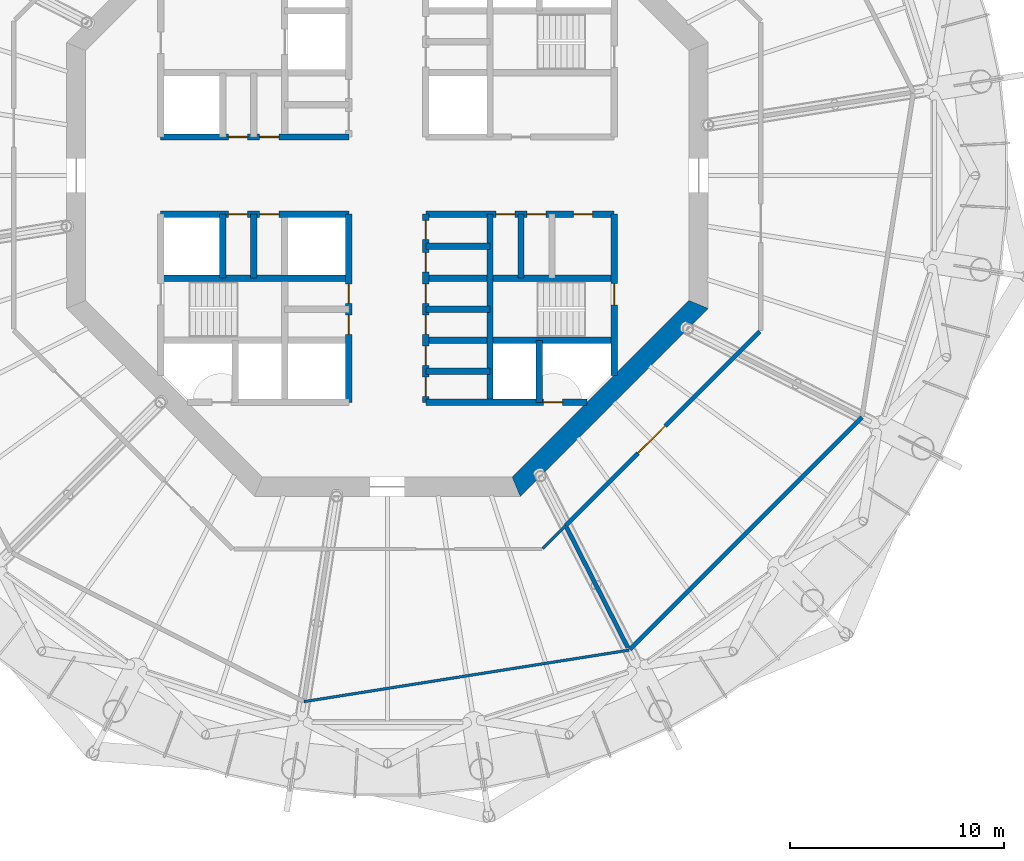
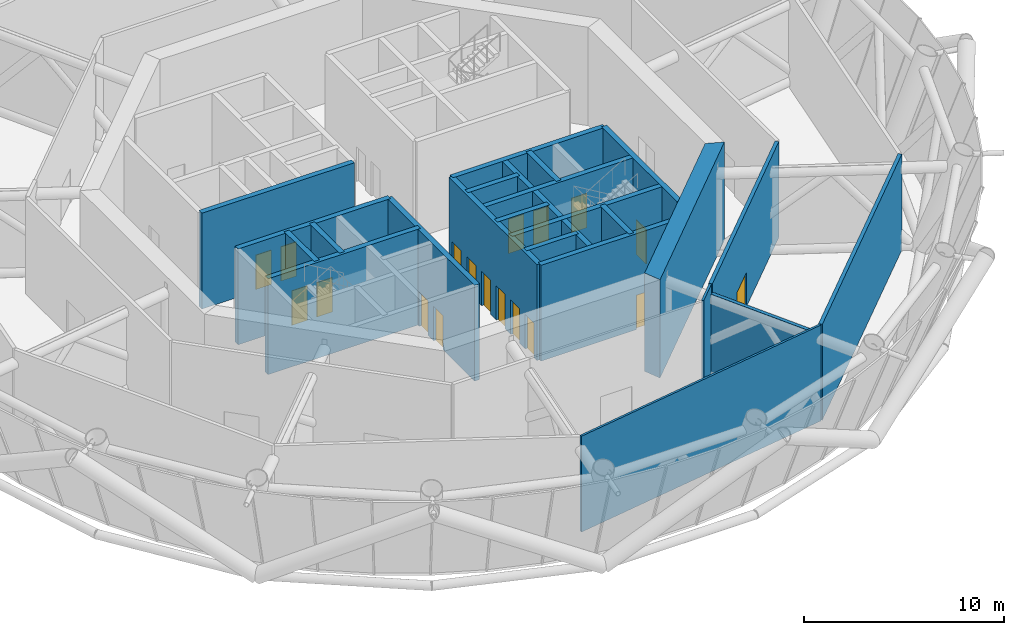
# One storey, part 8 of 15: 24 walls, 18 doors, 18 openings.
"""IFC4 building model written with IfcOpenShell, lengths in metres."""

from ifc_helpers import new_model, si_unit, direction, frame, frame_2d, origin, place, context, subcontext, project, spatial, polyline, rectangle, outline, extrude, material, layer, layer_set, type_object, element, fill, save


model = new_model("IFC4")

# Units and contexts
model_context = context("Model", 3, precision=1e-05, world=origin(), true_north=direction((0.0, 1.0)))
body_context = subcontext(model_context, "Body", "Model", "MODEL_VIEW")
ifc_project = project(units=[si_unit("LENGTHUNIT", "METRE"), si_unit("AREAUNIT", "SQUARE_METRE"), si_unit("VOLUMEUNIT", "CUBIC_METRE"), si_unit("PLANEANGLEUNIT", "RADIAN"), si_unit("MASSUNIT", "GRAM", prefix="KILO")], contexts=[model_context])

# Site, building, storey
site_placement = place(None, origin())
site = spatial("IfcSite", under=ifc_project, at=site_placement, CompositionType="ELEMENT")
building_placement = place(site_placement, origin())
building = spatial("IfcBuilding", under=site, at=building_placement, Name="Entoto Ring Tower", CompositionType="ELEMENT")
storey_placement = place(building_placement, frame((0.0, 0.0, 268.0)))
storey = spatial("IfcBuildingStorey", under=building, at=storey_placement, Name="L61", CompositionType="ELEMENT", Elevation=268.0)

# Wall, opening, door
ifc_material_1 = material(Name="Concrete C40/50", Category="concrete")
ifc_layer_1 = layer(ifc_material_1, 0.300048828125)
ifc_layer_set_1 = layer_set([ifc_layer_1], Name="Concrete C40/50")
wall_type_1 = type_object("IfcWallType", Name="Core enclosure wall 300 mm reinforced concrete", PredefinedType="SOLIDWALL", material=ifc_layer_set_1)
wall_1_placement = place(storey_placement, frame((100.60009765625, 70.65966796875, 0.0), z_axis=(0.0, 0.0, 1.0), x_axis=(0.0, 1.0, 0.0)))
wall_1 = element("IfcWall", 1, at=wall_1_placement, inside=storey, type_object=wall_type_1, Name="wall-L61-001", PredefinedType="SOLIDWALL", context=body_context, shape_type="SweptSolid", body=[
    extrude(rectangle(XDim=7.540283203125, YDim=0.300048828125, at=frame_2d((3.77001953125, 0.0))), origin(), (0.0, 0.0, 1.0), 5.85009765625),
])
opening_1_placement = place(wall_1_placement, frame((3.290283203125, 0.0, 0.0)))
opening_1 = element("IfcOpeningElement", 2, at=opening_1_placement, cuts=wall_1, Name="Opening K-27", PredefinedType="OPENING", context=body_context, shape_type="SweptSolid", body=[
    extrude(rectangle(XDim=1.0, YDim=2.10009765625, at=frame_2d((0.5, 1.050048828125))), frame((0.0, 0.16015625, 0.0), z_axis=(0.0, -1.0, 0.0), x_axis=(1.0, 0.0, 0.0)), (0.0, 0.0, 1.0), 0.320068359375),
])
ifc_material_2 = material(Name="Steel door leaf, fire rated", Category="steel")
ifc_layer_2 = layer(ifc_material_2, 0.050048828125)
ifc_layer_set_2 = layer_set([ifc_layer_2], Name="Steel door leaf, fire rated")
door_type_1 = type_object("IfcDoorType", Name="Fire door FD60 1000 x 2100 single leaf", OperationType="NOTDEFINED", PredefinedType="DOOR", material=ifc_layer_set_2)
door_1_placement = place(opening_1_placement, origin())
door_1 = element("IfcDoor", 3, at=door_1_placement, inside=storey, type_object=door_type_1, Name="Door K-27", OperationType="SINGLE_SWING_RIGHT", OverallHeight=2.10009765625, OverallWidth=1.0, PredefinedType="DOOR", context=body_context, shape_type="SweptSolid", body=[
    extrude(rectangle(XDim=1.0, YDim=2.10009765625, at=frame_2d((0.5, 1.050048828125))), frame((0.0, 0.02490234375, 0.0), z_axis=(0.0, -1.0, 0.0), x_axis=(1.0, 0.0, 0.0)), (0.0, 0.0, 1.0), 0.050048828125),
])
fill(opening_1, door_1)

# Walls
wall_2_placement = place(storey_placement, frame((97.10009765625, 69.39990234375, 0.0), z_axis=(0.0, 0.0, 1.0), x_axis=(0.0, 1.0, 0.0)))
element("IfcWall", 4, at=wall_2_placement, inside=storey, type_object=wall_type_1, Name="wall-L61-004", PredefinedType="SOLIDWALL", context=body_context, shape_type="SweptSolid", body=[
    extrude(rectangle(XDim=2.900146484375, YDim=0.300048828125, at=frame_2d((1.4501953125, 0.0))), origin(), (0.0, 0.0, 1.0), 5.85009765625),
])
wall_3_placement = place(storey_placement, frame((96.25, 75.199951171875, 0.0), z_axis=(0.0, 0.0, 1.0), x_axis=(0.0, 1.0, 0.0)))
element("IfcWall", 5, at=wall_3_placement, inside=storey, type_object=wall_type_1, Name="wall-L61-006", PredefinedType="SOLIDWALL", context=body_context, shape_type="SweptSolid", body=[
    extrude(rectangle(XDim=3.0, YDim=0.300048828125, at=frame_2d((1.5, 0.0))), origin(), (0.0, 0.0, 1.0), 5.85009765625),
])
wall_4_placement = place(storey_placement, frame((94.800048828125, 69.39990234375, 0.0), z_axis=(0.0, 0.0, 1.0), x_axis=(0.0, 1.0, 0.0)))
element("IfcWall", 6, at=wall_4_placement, inside=storey, type_object=wall_type_1, Name="wall-L61-007", PredefinedType="SOLIDWALL", context=body_context, shape_type="SweptSolid", body=[
    extrude(rectangle(XDim=8.800048828125, YDim=0.300048828125, at=frame_2d((4.39990234375, 0.0))), origin(), (0.0, 0.0, 1.0), 5.85009765625),
])

# Wall, openings, doors
wall_5_placement = place(storey_placement, frame((91.800048828125, 69.39990234375, 0.0), z_axis=(0.0, 0.0, 1.0), x_axis=(0.0, 1.0, 0.0)))
wall_5 = element("IfcWall", 7, at=wall_5_placement, inside=storey, type_object=wall_type_1, Name="wall-L61-009", PredefinedType="SOLIDWALL", context=body_context, shape_type="SweptSolid", body=[
    extrude(rectangle(XDim=8.800048828125, YDim=0.300048828125, at=frame_2d((4.39990234375, 0.0))), origin(), (0.0, 0.0, 1.0), 5.85009765625),
])
opening_2_placement = place(wall_5_placement, frame((3.175048828125, 0.0, 0.0)))
opening_2 = element("IfcOpeningElement", 8, at=opening_2_placement, cuts=wall_5, Name="Opening K-15", PredefinedType="OPENING", context=body_context, shape_type="SweptSolid", body=[
    extrude(rectangle(XDim=0.89990234375, YDim=2.10009765625, at=frame_2d((0.449951171875, 1.050048828125))), frame((0.0, 0.16015625, 0.0), z_axis=(0.0, -1.0, 0.0), x_axis=(1.0, 0.0, 0.0)), (0.0, 0.0, 1.0), 0.320068359375),
])
opening_3_placement = place(wall_5_placement, frame((4.625, 0.0, 0.0)))
opening_3 = element("IfcOpeningElement", 9, at=opening_3_placement, cuts=wall_5, Name="Opening K-16", PredefinedType="OPENING", context=body_context, shape_type="SweptSolid", body=[
    extrude(rectangle(XDim=0.89990234375, YDim=2.10009765625, at=frame_2d((0.449951171875, 1.050048828125))), frame((0.0, 0.16015625, 0.0), z_axis=(0.0, -1.0, 0.0), x_axis=(1.0, 0.0, 0.0)), (0.0, 0.0, 1.0), 0.320068359375),
])
opening_4_placement = place(wall_5_placement, frame((0.27490234375, 0.0, 0.0)))
opening_4 = element("IfcOpeningElement", 10, at=opening_4_placement, cuts=wall_5, Name="Opening K-57", PredefinedType="OPENING", context=body_context, shape_type="SweptSolid", body=[
    extrude(rectangle(XDim=0.89990234375, YDim=2.10009765625, at=frame_2d((0.449951171875, 1.050048828125))), frame((0.0, 0.16015625, 0.0), z_axis=(0.0, -1.0, 0.0), x_axis=(1.0, 0.0, 0.0)), (0.0, 0.0, 1.0), 0.320068359375),
])
opening_5_placement = place(wall_5_placement, frame((1.72509765625, 0.0, 0.0)))
opening_5 = element("IfcOpeningElement", 11, at=opening_5_placement, cuts=wall_5, Name="Opening K-18", PredefinedType="OPENING", context=body_context, shape_type="SweptSolid", body=[
    extrude(rectangle(XDim=0.89990234375, YDim=2.10009765625, at=frame_2d((0.449951171875, 1.050048828125))), frame((0.0, 0.16015625, 0.0), z_axis=(0.0, -1.0, 0.0), x_axis=(1.0, 0.0, 0.0)), (0.0, 0.0, 1.0), 0.320068359375),
])
opening_6_placement = place(wall_5_placement, frame((6.10009765625, 0.0, 0.0)))
opening_6 = element("IfcOpeningElement", 12, at=opening_6_placement, cuts=wall_5, Name="Opening K-71", PredefinedType="OPENING", context=body_context, shape_type="SweptSolid", body=[
    extrude(rectangle(XDim=0.89990234375, YDim=2.10009765625, at=frame_2d((0.449951171875, 1.050048828125))), frame((0.0, 0.16015625, 0.0), z_axis=(0.0, -1.0, 0.0), x_axis=(1.0, 0.0, 0.0)), (0.0, 0.0, 1.0), 0.320068359375),
])
opening_7_placement = place(wall_5_placement, frame((7.60009765625, 0.0, 0.0)))
opening_7 = element("IfcOpeningElement", 13, at=opening_7_placement, cuts=wall_5, Name="Opening K-24", PredefinedType="OPENING", context=body_context, shape_type="SweptSolid", body=[
    extrude(rectangle(XDim=0.89990234375, YDim=2.10009765625, at=frame_2d((0.449951171875, 1.050048828125))), frame((0.0, 0.16015625, 0.0), z_axis=(0.0, -1.0, 0.0), x_axis=(1.0, 0.0, 0.0)), (0.0, 0.0, 1.0), 0.320068359375),
])
ifc_material_3 = material(Name="Steel door leaf, fire rated", Category="steel")
ifc_layer_3 = layer(ifc_material_3, 0.050048828125)
ifc_layer_set_3 = layer_set([ifc_layer_3], Name="Steel door leaf, fire rated")
door_type_2 = type_object("IfcDoorType", Name="Core door 900 x 2100 single leaf", OperationType="NOTDEFINED", PredefinedType="DOOR", material=ifc_layer_set_3)
door_2_placement = place(opening_2_placement, frame((0.89990234375, 0.0, 0.0), z_axis=(0.0, 0.0, 1.0), x_axis=(-1.0, 0.0, 0.0)))
door_2 = element("IfcDoor", 14, at=door_2_placement, inside=storey, type_object=door_type_2, Name="Door K-15", OperationType="SINGLE_SWING_LEFT", OverallHeight=2.10009765625, OverallWidth=0.89990234375, PredefinedType="DOOR", context=body_context, shape_type="SweptSolid", body=[
    extrude(rectangle(XDim=0.89990234375, YDim=2.10009765625, at=frame_2d((0.449951171875, 1.050048828125))), frame((0.0, 0.02490234375, 0.0), z_axis=(0.0, -1.0, 0.0), x_axis=(1.0, 0.0, 0.0)), (0.0, 0.0, 1.0), 0.050048828125),
])
fill(opening_2, door_2)
door_3_placement = place(opening_3_placement, frame((0.89990234375, 0.0, 0.0), z_axis=(0.0, 0.0, 1.0), x_axis=(-1.0, 0.0, 0.0)))
door_3 = element("IfcDoor", 15, at=door_3_placement, inside=storey, type_object=door_type_2, Name="Door K-16", OperationType="SINGLE_SWING_LEFT", OverallHeight=2.10009765625, OverallWidth=0.89990234375, PredefinedType="DOOR", context=body_context, shape_type="SweptSolid", body=[
    extrude(rectangle(XDim=0.89990234375, YDim=2.10009765625, at=frame_2d((0.449951171875, 1.050048828125))), frame((0.0, 0.02490234375, 0.0), z_axis=(0.0, -1.0, 0.0), x_axis=(1.0, 0.0, 0.0)), (0.0, 0.0, 1.0), 0.050048828125),
])
fill(opening_3, door_3)
door_4_placement = place(opening_4_placement, frame((0.89990234375, 0.0, 0.0), z_axis=(0.0, 0.0, 1.0), x_axis=(-1.0, 0.0, 0.0)))
door_4 = element("IfcDoor", 16, at=door_4_placement, inside=storey, type_object=door_type_2, Name="Door K-57", OperationType="SINGLE_SWING_LEFT", OverallHeight=2.10009765625, OverallWidth=0.89990234375, PredefinedType="DOOR", context=body_context, shape_type="SweptSolid", body=[
    extrude(rectangle(XDim=0.89990234375, YDim=2.10009765625, at=frame_2d((0.449951171875, 1.050048828125))), frame((0.0, 0.02490234375, 0.0), z_axis=(0.0, -1.0, 0.0), x_axis=(1.0, 0.0, 0.0)), (0.0, 0.0, 1.0), 0.050048828125),
])
fill(opening_4, door_4)
door_5_placement = place(opening_5_placement, frame((0.89990234375, 0.0, 0.0), z_axis=(0.0, 0.0, 1.0), x_axis=(-1.0, 0.0, 0.0)))
door_5 = element("IfcDoor", 17, at=door_5_placement, inside=storey, type_object=door_type_2, Name="Door K-18", OperationType="SINGLE_SWING_LEFT", OverallHeight=2.10009765625, OverallWidth=0.89990234375, PredefinedType="DOOR", context=body_context, shape_type="SweptSolid", body=[
    extrude(rectangle(XDim=0.89990234375, YDim=2.10009765625, at=frame_2d((0.449951171875, 1.050048828125))), frame((0.0, 0.02490234375, 0.0), z_axis=(0.0, -1.0, 0.0), x_axis=(1.0, 0.0, 0.0)), (0.0, 0.0, 1.0), 0.050048828125),
])
fill(opening_5, door_5)
door_6_placement = place(opening_6_placement, frame((0.89990234375, 0.0, 0.0), z_axis=(0.0, 0.0, 1.0), x_axis=(-1.0, 0.0, 0.0)))
door_6 = element("IfcDoor", 18, at=door_6_placement, inside=storey, type_object=door_type_2, Name="Door K-71", OperationType="SINGLE_SWING_RIGHT", OverallHeight=2.10009765625, OverallWidth=0.89990234375, PredefinedType="DOOR", context=body_context, shape_type="SweptSolid", body=[
    extrude(rectangle(XDim=0.89990234375, YDim=2.10009765625, at=frame_2d((0.449951171875, 1.050048828125))), frame((0.0, 0.02490234375, 0.0), z_axis=(0.0, -1.0, 0.0), x_axis=(1.0, 0.0, 0.0)), (0.0, 0.0, 1.0), 0.050048828125),
])
fill(opening_6, door_6)
door_7_placement = place(opening_7_placement, frame((0.89990234375, 0.0, 0.0), z_axis=(0.0, 0.0, 1.0), x_axis=(-1.0, 0.0, 0.0)))
door_7 = element("IfcDoor", 19, at=door_7_placement, inside=storey, type_object=door_type_2, Name="Door K-24", OperationType="SINGLE_SWING_RIGHT", OverallHeight=2.10009765625, OverallWidth=0.89990234375, PredefinedType="DOOR", context=body_context, shape_type="SweptSolid", body=[
    extrude(rectangle(XDim=0.89990234375, YDim=2.10009765625, at=frame_2d((0.449951171875, 1.050048828125))), frame((0.0, 0.02490234375, 0.0), z_axis=(0.0, -1.0, 0.0), x_axis=(1.0, 0.0, 0.0)), (0.0, 0.0, 1.0), 0.050048828125),
])
fill(opening_7, door_7)

wall_6_placement = place(storey_placement, frame((88.199951171875, 69.39990234375, 0.0), z_axis=(0.0, 0.0, 1.0), x_axis=(0.0, 1.0, 0.0)))
wall_6 = element("IfcWall", 20, at=wall_6_placement, inside=storey, type_object=wall_type_1, Name="wall-L61-011", PredefinedType="SOLIDWALL", context=body_context, shape_type="SweptSolid", body=[
    extrude(rectangle(XDim=8.800048828125, YDim=0.300048828125, at=frame_2d((4.39990234375, 0.0))), origin(), (0.0, 0.0, 1.0), 5.85009765625),
])
opening_8_placement = place(wall_6_placement, frame((3.175048828125, 0.0, 0.0)))
opening_8 = element("IfcOpeningElement", 21, at=opening_8_placement, cuts=wall_6, Name="Opening K-19", PredefinedType="OPENING", context=body_context, shape_type="SweptSolid", body=[
    extrude(rectangle(XDim=0.89990234375, YDim=2.10009765625, at=frame_2d((0.449951171875, 1.050048828125))), frame((0.0, 0.16015625, 0.0), z_axis=(0.0, -1.0, 0.0), x_axis=(1.0, 0.0, 0.0)), (0.0, 0.0, 1.0), 0.320068359375),
])
opening_9_placement = place(wall_6_placement, frame((4.625, 0.0, 0.0)))
opening_9 = element("IfcOpeningElement", 22, at=opening_9_placement, cuts=wall_6, Name="Opening K-63", PredefinedType="OPENING", context=body_context, shape_type="SweptSolid", body=[
    extrude(rectangle(XDim=0.89990234375, YDim=2.10009765625, at=frame_2d((0.449951171875, 1.050048828125))), frame((0.0, 0.16015625, 0.0), z_axis=(0.0, -1.0, 0.0), x_axis=(1.0, 0.0, 0.0)), (0.0, 0.0, 1.0), 0.320068359375),
])
door_8_placement = place(opening_8_placement, origin())
door_8 = element("IfcDoor", 23, at=door_8_placement, inside=storey, type_object=door_type_2, Name="Door K-19", OperationType="SINGLE_SWING_RIGHT", OverallHeight=2.10009765625, OverallWidth=0.89990234375, PredefinedType="DOOR", context=body_context, shape_type="SweptSolid", body=[
    extrude(rectangle(XDim=0.89990234375, YDim=2.10009765625, at=frame_2d((0.449951171875, 1.050048828125))), frame((0.0, 0.02490234375, 0.0), z_axis=(0.0, -1.0, 0.0), x_axis=(1.0, 0.0, 0.0)), (0.0, 0.0, 1.0), 0.050048828125),
])
fill(opening_8, door_8)
door_9_placement = place(opening_9_placement, origin())
door_9 = element("IfcDoor", 24, at=door_9_placement, inside=storey, type_object=door_type_2, Name="Door K-63", OperationType="SINGLE_SWING_RIGHT", OverallHeight=2.10009765625, OverallWidth=0.89990234375, PredefinedType="DOOR", context=body_context, shape_type="SweptSolid", body=[
    extrude(rectangle(XDim=0.89990234375, YDim=2.10009765625, at=frame_2d((0.449951171875, 1.050048828125))), frame((0.0, 0.02490234375, 0.0), z_axis=(0.0, -1.0, 0.0), x_axis=(1.0, 0.0, 0.0)), (0.0, 0.0, 1.0), 0.050048828125),
])
fill(opening_9, door_9)

# Walls
for number, where, z_axis, x_axis, name in (
    (25, (83.75, 75.199951171875, 0.0), (0.0, 0.0, 1.0), (0.0, 1.0, 0.0), "wall-L61-015"),
    (26, (82.300048828125, 75.199951171875, 0.0), (0.0, 0.0, 1.0), (0.0, 1.0, 0.0), "wall-L61-018"),
):
    element("IfcWall", number, at=place(storey_placement, frame(where, z_axis=z_axis, x_axis=x_axis)), inside=storey, type_object=wall_type_1, Name=name, PredefinedType="SOLIDWALL", context=body_context, shape_type="SweptSolid", body=[
        extrude(rectangle(XDim=3.0, YDim=0.300048828125, at=frame_2d((1.5, 0.0))), origin(), (0.0, 0.0, 1.0), 5.85009765625),
    ])

# Wall, opening, door
wall_7_placement = place(storey_placement, frame((91.800048828125, 69.39990234375, 0.0), z_axis=(0.0, 0.0, 1.0), x_axis=(1.0, 0.0, 0.0)))
wall_7 = element("IfcWall", 27, at=wall_7_placement, inside=storey, type_object=wall_type_1, Name="wall-L61-023", PredefinedType="SOLIDWALL", context=body_context, shape_type="SweptSolid", body=[
    extrude(rectangle(XDim=7.540283203125, YDim=0.300048828125, at=frame_2d((3.77001953125, 0.0))), origin(), (0.0, 0.0, 1.0), 5.85009765625),
])
opening_10_placement = place(wall_7_placement, frame((5.5, 0.0, 0.0)))
opening_10 = element("IfcOpeningElement", 28, at=opening_10_placement, cuts=wall_7, Name="Opening K-84", PredefinedType="OPENING", context=body_context, shape_type="SweptSolid", body=[
    extrude(rectangle(XDim=0.89990234375, YDim=2.10009765625, at=frame_2d((0.449951171875, 1.050048828125))), frame((0.0, 0.16015625, 0.0), z_axis=(0.0, -1.0, 0.0), x_axis=(1.0, 0.0, 0.0)), (0.0, 0.0, 1.0), 0.320068359375),
])
ifc_material_4 = material(Name="Steel door leaf, fire rated", Category="steel")
ifc_layer_4 = layer(ifc_material_4, 0.050048828125)
ifc_layer_set_4 = layer_set([ifc_layer_4], Name="Steel door leaf, fire rated")
door_type_3 = type_object("IfcDoorType", Name="Riser door FD60 900 x 2100 single leaf", OperationType="NOTDEFINED", PredefinedType="DOOR", material=ifc_layer_set_4)
door_10_placement = place(opening_10_placement, origin())
door_10 = element("IfcDoor", 29, at=door_10_placement, inside=storey, type_object=door_type_3, Name="Door K-84", OperationType="SINGLE_SWING_LEFT", OverallHeight=2.10009765625, OverallWidth=0.89990234375, PredefinedType="DOOR", context=body_context, shape_type="SweptSolid", body=[
    extrude(rectangle(XDim=0.89990234375, YDim=2.10009765625, at=frame_2d((0.449951171875, 1.050048828125))), frame((0.0, 0.02490234375, 0.0), z_axis=(0.0, -1.0, 0.0), x_axis=(1.0, 0.0, 0.0)), (0.0, 0.0, 1.0), 0.050048828125),
])
fill(opening_10, door_10)

# Walls
wall_8_placement = place(storey_placement, frame((91.800048828125, 70.85009765625, 0.0), z_axis=(0.0, 0.0, 1.0), x_axis=(1.0, 0.0, 0.0)))
element("IfcWall", 30, at=wall_8_placement, inside=storey, type_object=wall_type_1, Name="wall-L61-024", PredefinedType="SOLIDWALL", context=body_context, shape_type="SweptSolid", body=[
    extrude(rectangle(XDim=3.0, YDim=0.300048828125, at=frame_2d((1.5, 0.0))), origin(), (0.0, 0.0, 1.0), 5.85009765625),
])
wall_9_placement = place(storey_placement, frame((91.800048828125, 72.300048828125, 0.0), z_axis=(0.0, 0.0, 1.0), x_axis=(1.0, 0.0, 0.0)))
element("IfcWall", 31, at=wall_9_placement, inside=storey, type_object=wall_type_1, Name="wall-L61-026", PredefinedType="SOLIDWALL", context=body_context, shape_type="SweptSolid", body=[
    extrude(rectangle(XDim=8.800048828125, YDim=0.300048828125, at=frame_2d((4.39990234375, 0.0))), origin(), (0.0, 0.0, 1.0), 5.85009765625),
])
wall_10_placement = place(storey_placement, frame((91.800048828125, 73.75, 0.0), z_axis=(0.0, 0.0, 1.0), x_axis=(1.0, 0.0, 0.0)))
element("IfcWall", 32, at=wall_10_placement, inside=storey, type_object=wall_type_1, Name="wall-L61-028", PredefinedType="SOLIDWALL", context=body_context, shape_type="SweptSolid", body=[
    extrude(rectangle(XDim=3.0, YDim=0.300048828125, at=frame_2d((1.5, 0.0))), origin(), (0.0, 0.0, 1.0), 5.85009765625),
])
for number, where, z_axis, x_axis, name in (
    (33, (79.39990234375, 75.199951171875, 0.0), (0.0, 0.0, 1.0), (1.0, 0.0, 0.0), "wall-L61-029"),
    (34, (91.800048828125, 75.199951171875, 0.0), (0.0, 0.0, 1.0), (1.0, 0.0, 0.0), "wall-L61-030"),
):
    element("IfcWall", number, at=place(storey_placement, frame(where, z_axis=z_axis, x_axis=x_axis)), inside=storey, type_object=wall_type_1, Name=name, PredefinedType="SOLIDWALL", context=body_context, shape_type="SweptSolid", body=[
        extrude(rectangle(XDim=8.800048828125, YDim=0.300048828125, at=frame_2d((4.39990234375, 0.0))), origin(), (0.0, 0.0, 1.0), 5.85009765625),
    ])
wall_11_placement = place(storey_placement, frame((91.800048828125, 76.699951171875, 0.0), z_axis=(0.0, 0.0, 1.0), x_axis=(1.0, 0.0, 0.0)))
element("IfcWall", 35, at=wall_11_placement, inside=storey, type_object=wall_type_1, Name="wall-L61-031", PredefinedType="SOLIDWALL", context=body_context, shape_type="SweptSolid", body=[
    extrude(rectangle(XDim=3.0, YDim=0.300048828125, at=frame_2d((1.5, 0.0))), origin(), (0.0, 0.0, 1.0), 5.85009765625),
])

# Wall, openings, doors
wall_12_placement = place(storey_placement, frame((79.39990234375, 78.199951171875, 0.0), z_axis=(0.0, 0.0, 1.0), x_axis=(1.0, 0.0, 0.0)))
wall_12 = element("IfcWall", 36, at=wall_12_placement, inside=storey, type_object=wall_type_1, Name="wall-L61-032", PredefinedType="SOLIDWALL", context=body_context, shape_type="SweptSolid", body=[
    extrude(rectangle(XDim=8.800048828125, YDim=0.300048828125, at=frame_2d((4.39990234375, 0.0))), origin(), (0.0, 0.0, 1.0), 5.85009765625),
])
opening_11_placement = place(wall_12_placement, frame((3.175048828125, 0.0, 0.0)))
opening_11 = element("IfcOpeningElement", 37, at=opening_11_placement, cuts=wall_12, Name="Opening K-11", PredefinedType="OPENING", context=body_context, shape_type="SweptSolid", body=[
    extrude(rectangle(XDim=0.89990234375, YDim=2.10009765625, at=frame_2d((0.449951171875, 1.050048828125))), frame((0.0, 0.16015625, 0.0), z_axis=(0.0, -1.0, 0.0), x_axis=(1.0, 0.0, 0.0)), (0.0, 0.0, 1.0), 0.320068359375),
])
opening_12_placement = place(wall_12_placement, frame((4.625, 0.0, 0.0)))
opening_12 = element("IfcOpeningElement", 38, at=opening_12_placement, cuts=wall_12, Name="Opening K-12", PredefinedType="OPENING", context=body_context, shape_type="SweptSolid", body=[
    extrude(rectangle(XDim=0.89990234375, YDim=2.10009765625, at=frame_2d((0.449951171875, 1.050048828125))), frame((0.0, 0.16015625, 0.0), z_axis=(0.0, -1.0, 0.0), x_axis=(1.0, 0.0, 0.0)), (0.0, 0.0, 1.0), 0.320068359375),
])
door_11_placement = place(opening_11_placement, frame((0.89990234375, 0.0, 0.0), z_axis=(0.0, 0.0, 1.0), x_axis=(-1.0, 0.0, 0.0)))
door_11 = element("IfcDoor", 39, at=door_11_placement, inside=storey, type_object=door_type_2, Name="Door K-11", OperationType="SINGLE_SWING_LEFT", OverallHeight=2.10009765625, OverallWidth=0.89990234375, PredefinedType="DOOR", context=body_context, shape_type="SweptSolid", body=[
    extrude(rectangle(XDim=0.89990234375, YDim=2.10009765625, at=frame_2d((0.449951171875, 1.050048828125))), frame((0.0, 0.02490234375, 0.0), z_axis=(0.0, -1.0, 0.0), x_axis=(1.0, 0.0, 0.0)), (0.0, 0.0, 1.0), 0.050048828125),
])
fill(opening_11, door_11)
door_12_placement = place(opening_12_placement, frame((0.89990234375, 0.0, 0.0), z_axis=(0.0, 0.0, 1.0), x_axis=(-1.0, 0.0, 0.0)))
door_12 = element("IfcDoor", 40, at=door_12_placement, inside=storey, type_object=door_type_2, Name="Door K-12", OperationType="SINGLE_SWING_LEFT", OverallHeight=2.10009765625, OverallWidth=0.89990234375, PredefinedType="DOOR", context=body_context, shape_type="SweptSolid", body=[
    extrude(rectangle(XDim=0.89990234375, YDim=2.10009765625, at=frame_2d((0.449951171875, 1.050048828125))), frame((0.0, 0.02490234375, 0.0), z_axis=(0.0, -1.0, 0.0), x_axis=(1.0, 0.0, 0.0)), (0.0, 0.0, 1.0), 0.050048828125),
])
fill(opening_12, door_12)

wall_13_placement = place(storey_placement, frame((91.800048828125, 78.199951171875, 0.0), z_axis=(0.0, 0.0, 1.0), x_axis=(1.0, 0.0, 0.0)))
wall_13 = element("IfcWall", 41, at=wall_13_placement, inside=storey, type_object=wall_type_1, Name="wall-L61-033", PredefinedType="SOLIDWALL", context=body_context, shape_type="SweptSolid", body=[
    extrude(rectangle(XDim=8.800048828125, YDim=0.300048828125, at=frame_2d((4.39990234375, 0.0))), origin(), (0.0, 0.0, 1.0), 5.85009765625),
])
opening_13_placement = place(wall_13_placement, frame((3.27490234375, 0.0, 0.0)))
opening_13 = element("IfcOpeningElement", 42, at=opening_13_placement, cuts=wall_13, Name="Opening K-08", PredefinedType="OPENING", context=body_context, shape_type="SweptSolid", body=[
    extrude(rectangle(XDim=0.89990234375, YDim=2.10009765625, at=frame_2d((0.449951171875, 1.050048828125))), frame((0.0, 0.16015625, 0.0), z_axis=(0.0, -1.0, 0.0), x_axis=(1.0, 0.0, 0.0)), (0.0, 0.0, 1.0), 0.320068359375),
])
opening_14_placement = place(wall_13_placement, frame((4.72509765625, 0.0, 0.0)))
opening_14 = element("IfcOpeningElement", 43, at=opening_14_placement, cuts=wall_13, Name="Opening K-09", PredefinedType="OPENING", context=body_context, shape_type="SweptSolid", body=[
    extrude(rectangle(XDim=0.89990234375, YDim=2.10009765625, at=frame_2d((0.449951171875, 1.050048828125))), frame((0.0, 0.16015625, 0.0), z_axis=(0.0, -1.0, 0.0), x_axis=(1.0, 0.0, 0.0)), (0.0, 0.0, 1.0), 0.320068359375),
])
opening_15_placement = place(wall_13_placement, frame((6.89990234375, 0.0, 0.0)))
opening_15 = element("IfcOpeningElement", 44, at=opening_15_placement, cuts=wall_13, Name="Opening K-10", PredefinedType="OPENING", context=body_context, shape_type="SweptSolid", body=[
    extrude(rectangle(XDim=0.89990234375, YDim=2.10009765625, at=frame_2d((0.449951171875, 1.050048828125))), frame((0.0, 0.16015625, 0.0), z_axis=(0.0, -1.0, 0.0), x_axis=(1.0, 0.0, 0.0)), (0.0, 0.0, 1.0), 0.320068359375),
])
door_13_placement = place(opening_13_placement, frame((0.89990234375, 0.0, 0.0), z_axis=(0.0, 0.0, 1.0), x_axis=(-1.0, 0.0, 0.0)))
door_13 = element("IfcDoor", 45, at=door_13_placement, inside=storey, type_object=door_type_2, Name="Door K-08", OperationType="SINGLE_SWING_LEFT", OverallHeight=2.10009765625, OverallWidth=0.89990234375, PredefinedType="DOOR", context=body_context, shape_type="SweptSolid", body=[
    extrude(rectangle(XDim=0.89990234375, YDim=2.10009765625, at=frame_2d((0.449951171875, 1.050048828125))), frame((0.0, 0.02490234375, 0.0), z_axis=(0.0, -1.0, 0.0), x_axis=(1.0, 0.0, 0.0)), (0.0, 0.0, 1.0), 0.050048828125),
])
fill(opening_13, door_13)
door_14_placement = place(opening_14_placement, frame((0.89990234375, 0.0, 0.0), z_axis=(0.0, 0.0, 1.0), x_axis=(-1.0, 0.0, 0.0)))
door_14 = element("IfcDoor", 46, at=door_14_placement, inside=storey, type_object=door_type_2, Name="Door K-09", OperationType="SINGLE_SWING_RIGHT", OverallHeight=2.10009765625, OverallWidth=0.89990234375, PredefinedType="DOOR", context=body_context, shape_type="SweptSolid", body=[
    extrude(rectangle(XDim=0.89990234375, YDim=2.10009765625, at=frame_2d((0.449951171875, 1.050048828125))), frame((0.0, 0.02490234375, 0.0), z_axis=(0.0, -1.0, 0.0), x_axis=(1.0, 0.0, 0.0)), (0.0, 0.0, 1.0), 0.050048828125),
])
fill(opening_14, door_14)
door_15_placement = place(opening_15_placement, frame((0.89990234375, 0.0, 0.0), z_axis=(0.0, 0.0, 1.0), x_axis=(-1.0, 0.0, 0.0)))
door_15 = element("IfcDoor", 47, at=door_15_placement, inside=storey, type_object=door_type_2, Name="Door K-10", OperationType="SINGLE_SWING_LEFT", OverallHeight=2.10009765625, OverallWidth=0.89990234375, PredefinedType="DOOR", context=body_context, shape_type="SweptSolid", body=[
    extrude(rectangle(XDim=0.89990234375, YDim=2.10009765625, at=frame_2d((0.449951171875, 1.050048828125))), frame((0.0, 0.02490234375, 0.0), z_axis=(0.0, -1.0, 0.0), x_axis=(1.0, 0.0, 0.0)), (0.0, 0.0, 1.0), 0.050048828125),
])
fill(opening_15, door_15)

wall_14_placement = place(storey_placement, frame((79.39990234375, 81.800048828125, 0.0), z_axis=(0.0, 0.0, 1.0), x_axis=(1.0, 0.0, 0.0)))
wall_14 = element("IfcWall", 48, at=wall_14_placement, inside=storey, type_object=wall_type_1, Name="wall-L61-034", PredefinedType="SOLIDWALL", context=body_context, shape_type="SweptSolid", body=[
    extrude(rectangle(XDim=8.800048828125, YDim=0.300048828125, at=frame_2d((4.39990234375, 0.0))), origin(), (0.0, 0.0, 1.0), 5.85009765625),
])
opening_16_placement = place(wall_14_placement, frame((3.175048828125, 0.0, 0.0)))
opening_16 = element("IfcOpeningElement", 49, at=opening_16_placement, cuts=wall_14, Name="Opening K-06", PredefinedType="OPENING", context=body_context, shape_type="SweptSolid", body=[
    extrude(rectangle(XDim=0.89990234375, YDim=2.10009765625, at=frame_2d((0.449951171875, 1.050048828125))), frame((0.0, 0.16015625, 0.0), z_axis=(0.0, -1.0, 0.0), x_axis=(1.0, 0.0, 0.0)), (0.0, 0.0, 1.0), 0.320068359375),
])
opening_17_placement = place(wall_14_placement, frame((4.625, 0.0, 0.0)))
opening_17 = element("IfcOpeningElement", 50, at=opening_17_placement, cuts=wall_14, Name="Opening K-07", PredefinedType="OPENING", context=body_context, shape_type="SweptSolid", body=[
    extrude(rectangle(XDim=0.89990234375, YDim=2.10009765625, at=frame_2d((0.449951171875, 1.050048828125))), frame((0.0, 0.16015625, 0.0), z_axis=(0.0, -1.0, 0.0), x_axis=(1.0, 0.0, 0.0)), (0.0, 0.0, 1.0), 0.320068359375),
])
door_16_placement = place(opening_16_placement, frame((0.89990234375, 0.0, 0.0), z_axis=(0.0, 0.0, 1.0), x_axis=(-1.0, 0.0, 0.0)))
door_16 = element("IfcDoor", 51, at=door_16_placement, inside=storey, type_object=door_type_2, Name="Door K-06", OperationType="SINGLE_SWING_RIGHT", OverallHeight=2.10009765625, OverallWidth=0.89990234375, PredefinedType="DOOR", context=body_context, shape_type="SweptSolid", body=[
    extrude(rectangle(XDim=0.89990234375, YDim=2.10009765625, at=frame_2d((0.449951171875, 1.050048828125))), frame((0.0, 0.02490234375, 0.0), z_axis=(0.0, -1.0, 0.0), x_axis=(1.0, 0.0, 0.0)), (0.0, 0.0, 1.0), 0.050048828125),
])
fill(opening_16, door_16)
door_17_placement = place(opening_17_placement, frame((0.89990234375, 0.0, 0.0), z_axis=(0.0, 0.0, 1.0), x_axis=(-1.0, 0.0, 0.0)))
door_17 = element("IfcDoor", 52, at=door_17_placement, inside=storey, type_object=door_type_2, Name="Door K-07", OperationType="SINGLE_SWING_RIGHT", OverallHeight=2.10009765625, OverallWidth=0.89990234375, PredefinedType="DOOR", context=body_context, shape_type="SweptSolid", body=[
    extrude(rectangle(XDim=0.89990234375, YDim=2.10009765625, at=frame_2d((0.449951171875, 1.050048828125))), frame((0.0, 0.02490234375, 0.0), z_axis=(0.0, -1.0, 0.0), x_axis=(1.0, 0.0, 0.0)), (0.0, 0.0, 1.0), 0.050048828125),
])
fill(opening_17, door_17)

# Walls
ifc_material_5 = material(Name="Concrete C50/60", Category="concrete")
ifc_layer_5 = layer(ifc_material_5, 0.89990234375)
ifc_layer_set_5 = layer_set([ifc_layer_5], Name="Concrete C50/60")
wall_type_2 = type_object("IfcWallType", Name="Core shear wall 900 mm reinforced concrete C50/60", PredefinedType="SHEAR", material=ifc_layer_set_5)
wall_15_placement = place(storey_placement, frame((96.02685546875, 65.449951171875, 0.0), z_axis=(0.0, 0.0, 1.0), x_axis=(0.707106781187, 0.707106781187, 0.0)))
element("IfcWall", 53, at=wall_15_placement, inside=storey, type_object=wall_type_2, Name="wall-L61-core-7", PredefinedType="SHEAR", context=body_context, shape_type="SweptSolid", body=[
    extrude(outline(polyline([(-0.186279296875, -0.449951171875), (12.239990234375, -0.449951171875), (11.867431640625, 0.449951171875), (0.186279296875, 0.449951171875), (-0.186279296875, -0.449951171875)])), origin(), (0.0, 0.0, 1.0), 6.0),
])
ifc_material_6 = material(Name="Fire-resisting plasterboard on steel studs", Category="steel")
ifc_layer_6 = layer(ifc_material_6, 0.125)
ifc_layer_set_6 = layer_set([ifc_layer_6], Name="Fire-resisting plasterboard on steel studs")
wall_type_3 = type_object("IfcWallType", Name="Corridor wall 125 mm one-hour plasterboard on steel studs", PredefinedType="PARTITIONING", material=ifc_layer_set_6)
wall_16_placement = place(storey_placement, frame((86.10498046875, 55.406494140625, 0.0), z_axis=(0.0, 0.0, 1.0), x_axis=(0.987686824972, 0.156444034006, 0.0)))
element("IfcWall", 54, at=wall_16_placement, inside=storey, type_object=wall_type_3, Name="partition-L61-002", PredefinedType="PARTITIONING", context=body_context, shape_type="SweptSolid", body=[
    extrude(rectangle(XDim=15.388671875, YDim=0.125, at=frame_2d((7.6943359375, 0.0))), origin(), (0.0, 0.0, 1.0), 5.85009765625),
])
wall_17_placement = place(storey_placement, frame((97.264404296875, 62.568603515625, 0.0), z_axis=(0.0, 0.0, 1.0), x_axis=(0.70702621299, 0.707187340204, 0.0)))
element("IfcWall", 55, at=wall_17_placement, inside=storey, type_object=wall_type_3, Name="partition-L61-005", PredefinedType="PARTITIONING", context=body_context, shape_type="SweptSolid", body=[
    extrude(rectangle(XDim=1.51513671875, YDim=0.125, at=frame_2d((0.757568359375, 0.0))), origin(), (0.0, 0.0, 1.0), 5.85009765625),
])
ifc_material_7 = material(Name="Concrete C20/25", Category="concrete")
ifc_layer_7 = layer(ifc_material_7, 0.199951171875)
ifc_layer_set_7 = layer_set([ifc_layer_7], Name="Concrete C20/25")
wall_type_4 = type_object("IfcWallType", Name="Plant room wall 200 mm two-hour concrete", PredefinedType="PARTITIONING", material=ifc_layer_set_7)
wall_18_placement = place(storey_placement, frame((101.330078125, 57.839599609375, 0.0), z_axis=(0.0, 0.0, 1.0), x_axis=(0.707106781187, 0.707106781187, 0.0)))
element("IfcWall", 56, at=wall_18_placement, inside=storey, type_object=wall_type_4, Name="partition-L61-006", PredefinedType="PARTITIONING", context=body_context, shape_type="SweptSolid", body=[
    extrude(rectangle(XDim=15.3525390625, YDim=0.199951171875, at=frame_2d((7.67626953125, 0.0))), origin(), (0.0, 0.0, 1.0), 5.85009765625),
])

# Wall, opening, door
wall_19_placement = place(storey_placement, frame((98.335693359375, 63.64013671875, 0.0), z_axis=(0.0, 0.0, 1.0), x_axis=(0.707116290742, 0.707097271503, 0.0)))
wall_19 = element("IfcWall", 57, at=wall_19_placement, inside=storey, type_object=wall_type_4, Name="partition-L61-019", PredefinedType="PARTITIONING", context=body_context, shape_type="SweptSolid", body=[
    extrude(rectangle(XDim=12.83642578125, YDim=0.199951171875, at=frame_2d((6.418212890625, 0.0))), origin(), (0.0, 0.0, 1.0), 5.85009765625),
])
opening_18_placement = place(wall_19_placement, frame((4.77392578125, 0.0, 0.0)))
opening_18 = element("IfcOpeningElement", 58, at=opening_18_placement, cuts=wall_19, Name="Opening A27-D09", PredefinedType="OPENING", context=body_context, shape_type="SweptSolid", body=[
    extrude(rectangle(XDim=1.800048828125, YDim=2.10009765625, at=frame_2d((0.89990234375, 1.050048828125))), frame((0.0, 0.10986328125, 0.0), z_axis=(0.0, -1.0, 0.0), x_axis=(1.0, 0.0, 0.0)), (0.0, 0.0, 1.0), 0.219970703125),
])
ifc_material_8 = material(Name="Fire-resisting steel door set", Category="steel")
door_type_4 = type_object("IfcDoorType", Name="Door 1800 x 2100 double leaf FD60 steel door", OperationType="DOUBLE_DOOR_SINGLE_SWING", PredefinedType="DOOR", material=ifc_material_8)
door_18_placement = place(opening_18_placement, frame((1.800048828125, 0.0, 0.0), z_axis=(0.0, 0.0, 1.0), x_axis=(-1.0, 0.0, 0.0)))
door_18 = element("IfcDoor", 59, at=door_18_placement, inside=storey, type_object=door_type_4, Name="Door A27-D09", OperationType="DOUBLE_DOOR_SINGLE_SWING", OverallHeight=2.10009765625, OverallWidth=1.800048828125, PredefinedType="DOOR", context=body_context, shape_type="SweptSolid", body=[
    extrude(rectangle(XDim=1.800048828125, YDim=2.10009765625, at=frame_2d((0.89990234375, 1.050048828125))), frame((0.0, 0.02490234375, 0.0), z_axis=(0.0, -1.0, 0.0), x_axis=(1.0, 0.0, 0.0)), (0.0, 0.0, 1.0), 0.050048828125),
])
fill(opening_18, door_18)

# Wall
ifc_material_9 = material(Name="Concrete C20/25", Category="concrete")
ifc_layer_8 = layer(ifc_material_9, 0.199951171875)
ifc_layer_set_8 = layer_set([ifc_layer_8], Name="Concrete C20/25")
wall_type_5 = type_object("IfcWallType", Name="Plant room wall 200 mm two-hour concrete, 5300 mm high", PredefinedType="PARTITIONING", material=ifc_layer_set_8)
wall_20_placement = place(storey_placement, frame((101.241943359375, 57.936279296875, 0.0), z_axis=(0.0, 0.0, 1.0), x_axis=(-0.453971036829, 0.891016440769, 0.0)))
element("IfcWall", 60, at=wall_20_placement, inside=storey, type_object=wall_type_5, Name="partition-L61-028", PredefinedType="PARTITIONING", context=body_context, shape_type="SweptSolid", body=[
    extrude(rectangle(XDim=6.303466796875, YDim=0.199951171875, at=frame_2d((3.15185546875, 0.0))), origin(), (0.0, 0.0, 1.0), 5.300048828125),
])

save(model, "model.ifc")
